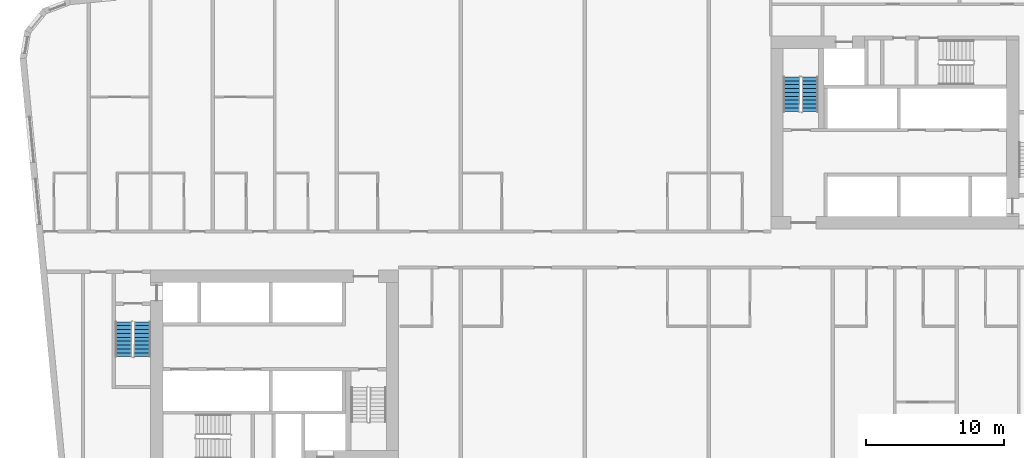
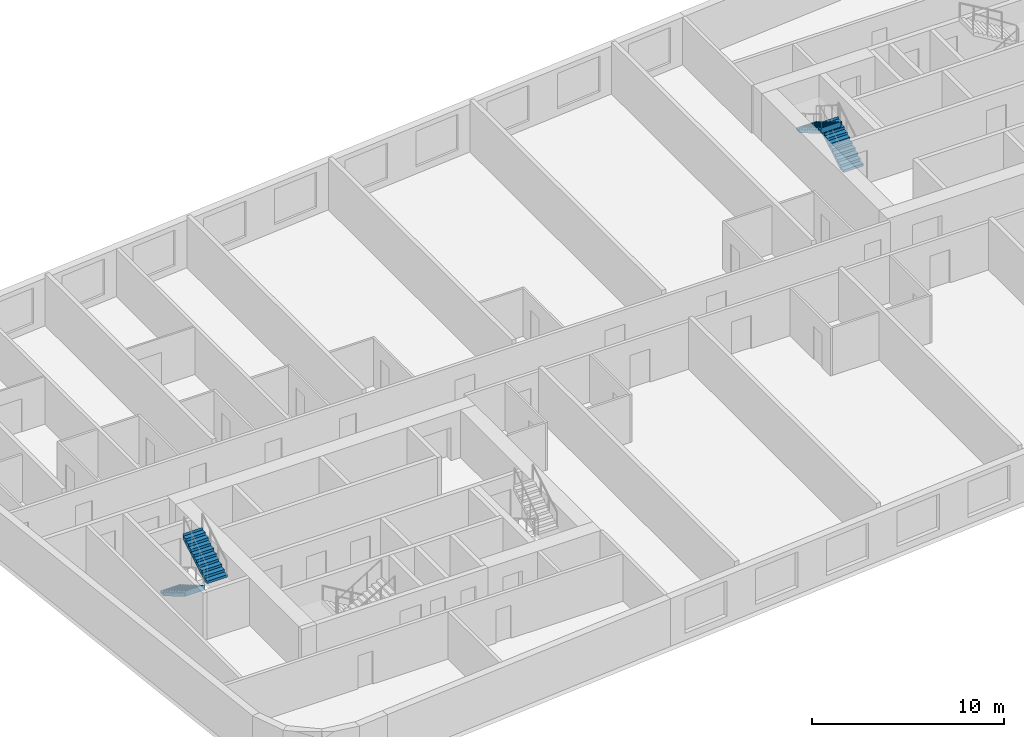
# One storey, part 10 of 12: 4 stair flights, 2 elements without a shape of their own.
"""IFC4 building model written with IfcOpenShell, lengths in metres."""

from ifc_helpers import new_model, si_unit, direction, frame, origin, place, context, subcontext, project, spatial, faceted_brep, material, type_object, element, aggregate, save


model = new_model("IFC4")

# Units and contexts
model_context = context("Model", 3, precision=1e-05, world=origin(), true_north=direction((0.0, 1.0)))
body_context = subcontext(model_context, "Body", "Model", "MODEL_VIEW")
ifc_project = project(units=[si_unit("LENGTHUNIT", "METRE"), si_unit("AREAUNIT", "SQUARE_METRE"), si_unit("VOLUMEUNIT", "CUBIC_METRE"), si_unit("PLANEANGLEUNIT", "RADIAN"), si_unit("MASSUNIT", "GRAM", prefix="KILO")], contexts=[model_context])

# Site, building, storey
site_placement = place(None, origin())
site = spatial("IfcSite", under=ifc_project, at=site_placement, CompositionType="ELEMENT")
building_placement = place(site_placement, origin())
building = spatial("IfcBuilding", under=site, at=building_placement, Name="Kajstack Hotel Tower", CompositionType="ELEMENT")
storey_placement = place(building_placement, frame((0.0, 0.0, 124.0)))
storey = spatial("IfcBuildingStorey", under=building, at=storey_placement, Name="L27", CompositionType="ELEMENT", Elevation=124.0)

# Stair, stair flights
ifc_material = material(Name="Concrete C40/50", Category="concrete")
stair_type = type_object("IfcStairType", Name="Exit stair 1200", PredefinedType="HALF_TURN_STAIR", material=ifc_material)
stair_1_placement = place(storey_placement, origin())
stair_1 = element("IfcStair", 1, at=stair_1_placement, inside=storey, type_object=stair_type, Name="L27 stair W1", PredefinedType="HALF_TURN_STAIR")
stair_flight_type = type_object("IfcStairFlightType", Name="Exit stair flight 1200", PredefinedType="STRAIGHT", material=ifc_material)
stair_flight_1_placement = place(storey_placement, frame((-33.449951171875, -5.25, 0.0), z_axis=(0.0, 0.0, 1.0), x_axis=(0.0, -1.0, 0.0)))
stair_flight_1 = element("IfcStairFlight", 2, at=stair_flight_1_placement, type_object=stair_flight_type, Name="W1 flight 1", NumberOfRisers=10, NumberOfTreads=9, PredefinedType="STRAIGHT", RiserHeight=0.165, TreadLength=0.28, context=body_context, shape_type="Brep", body=[
    faceted_brep([(0.295654296875, -0.60009765625, 0.0), (2.5205078125, -0.60009765625, 1.31103515625), (2.5205078125, -0.60009765625, 1.64990234375), (2.52001953125, -0.60009765625, 1.64990234375), (2.52001953125, -0.60009765625, 1.485107421875), (2.239990234375, -0.60009765625, 1.485107421875), (2.239990234375, -0.60009765625, 1.320068359375), (1.9599609375, -0.60009765625, 1.320068359375), (1.9599609375, -0.60009765625, 1.155029296875), (1.679931640625, -0.60009765625, 1.155029296875), (1.679931640625, -0.60009765625, 0.989990234375), (1.39990234375, -0.60009765625, 0.989990234375), (1.39990234375, -0.60009765625, 0.824951171875), (1.1201171875, -0.60009765625, 0.824951171875), (1.1201171875, -0.60009765625, 0.659912109375), (0.840087890625, -0.60009765625, 0.659912109375), (0.840087890625, -0.60009765625, 0.4951171875), (0.56005859375, -0.60009765625, 0.4951171875), (0.56005859375, -0.60009765625, 0.330078125), (0.280029296875, -0.60009765625, 0.330078125), (0.280029296875, -0.60009765625, 0.1650390625), (-0.00048828125, -0.60009765625, 0.1650390625), (-0.00048828125, -0.60009765625, 0.0), (-0.00048828125, 0.60009765625, 0.0), (-0.00048828125, 0.60009765625, 0.1650390625), (0.280029296875, 0.60009765625, 0.1650390625), (0.280029296875, 0.60009765625, 0.330078125), (0.56005859375, 0.60009765625, 0.330078125), (0.56005859375, 0.60009765625, 0.4951171875), (0.840087890625, 0.60009765625, 0.4951171875), (0.840087890625, 0.60009765625, 0.659912109375), (1.1201171875, 0.60009765625, 0.659912109375), (1.1201171875, 0.60009765625, 0.824951171875), (1.39990234375, 0.60009765625, 0.824951171875), (1.39990234375, 0.60009765625, 0.989990234375), (1.679931640625, 0.60009765625, 0.989990234375), (1.679931640625, 0.60009765625, 1.155029296875), (1.9599609375, 0.60009765625, 1.155029296875), (1.9599609375, 0.60009765625, 1.320068359375), (2.239990234375, 0.60009765625, 1.320068359375), (2.239990234375, 0.60009765625, 1.485107421875), (2.52001953125, 0.60009765625, 1.485107421875), (2.52001953125, 0.60009765625, 1.64990234375), (2.5205078125, 0.60009765625, 1.64990234375), (2.5205078125, 0.60009765625, 1.31103515625), (0.295654296875, 0.60009765625, 0.0), (-0.00048828125, -0.300048828125, 0.1650390625), (-0.00048828125, 0.0, 0.1650390625), (-0.00048828125, 0.300048828125, 0.1650390625), (-0.00048828125, 0.300048828125, 0.0), (-0.00048828125, 0.0, 0.0), (-0.00048828125, -0.300048828125, 0.0), (0.280029296875, -0.300048828125, 0.1650390625), (0.280029296875, 0.0, 0.1650390625), (0.280029296875, 0.300048828125, 0.1650390625), (0.280029296875, -0.300048828125, 0.330078125), (0.280029296875, 0.0, 0.330078125), (0.280029296875, 0.300048828125, 0.330078125), (0.56005859375, -0.300048828125, 0.330078125), (0.56005859375, 0.0, 0.330078125), (0.56005859375, 0.300048828125, 0.330078125), (0.56005859375, -0.300048828125, 0.4951171875), (0.56005859375, 0.0, 0.4951171875), (0.56005859375, 0.300048828125, 0.4951171875), (0.840087890625, -0.300048828125, 0.4951171875), (0.840087890625, 0.0, 0.4951171875), (0.840087890625, 0.300048828125, 0.4951171875), (0.840087890625, -0.300048828125, 0.659912109375), (0.840087890625, 0.0, 0.659912109375), (0.840087890625, 0.300048828125, 0.659912109375), (1.1201171875, -0.300048828125, 0.659912109375), (1.1201171875, 0.0, 0.659912109375), (1.1201171875, 0.300048828125, 0.659912109375), (1.1201171875, -0.300048828125, 0.824951171875), (1.1201171875, 0.0, 0.824951171875), (1.1201171875, 0.300048828125, 0.824951171875), (1.39990234375, -0.300048828125, 0.824951171875), (1.39990234375, 0.0, 0.824951171875), (1.39990234375, 0.300048828125, 0.824951171875), (1.39990234375, -0.300048828125, 0.989990234375), (1.39990234375, 0.0, 0.989990234375), (1.39990234375, 0.300048828125, 0.989990234375), (1.679931640625, -0.300048828125, 0.989990234375), (1.679931640625, 0.0, 0.989990234375), (1.679931640625, 0.300048828125, 0.989990234375), (1.679931640625, -0.300048828125, 1.155029296875), (1.679931640625, 0.0, 1.155029296875), (1.679931640625, 0.300048828125, 1.155029296875), (1.9599609375, -0.300048828125, 1.155029296875), (1.9599609375, 0.0, 1.155029296875), (1.9599609375, 0.300048828125, 1.155029296875), (1.9599609375, -0.300048828125, 1.320068359375), (1.9599609375, 0.0, 1.320068359375), (1.9599609375, 0.300048828125, 1.320068359375), (2.239990234375, -0.300048828125, 1.320068359375), (2.239990234375, 0.0, 1.320068359375), (2.239990234375, 0.300048828125, 1.320068359375), (2.239990234375, -0.300048828125, 1.485107421875), (2.239990234375, 0.0, 1.485107421875), (2.239990234375, 0.300048828125, 1.485107421875), (2.52001953125, -0.300048828125, 1.485107421875), (2.52001953125, 0.0, 1.485107421875), (2.52001953125, 0.300048828125, 1.485107421875), (2.52001953125, -0.300048828125, 1.64990234375), (2.52001953125, 0.0, 1.64990234375), (2.52001953125, 0.300048828125, 1.64990234375), (2.5205078125, -0.300048828125, 1.64990234375), (2.5205078125, 0.0, 1.64990234375), (2.5205078125, 0.300048828125, 1.64990234375), (2.5205078125, -0.300048828125, 1.31103515625), (2.5205078125, 0.0, 1.31103515625), (2.5205078125, 0.300048828125, 1.31103515625), (0.295654296875, -0.300048828125, 0.0), (0.295654296875, 0.0, 0.0), (0.295654296875, 0.300048828125, 0.0)], [[[0, 1, 2, 3, 4, 5, 6, 7, 8, 9, 10, 11, 12, 13, 14, 15, 16, 17, 18, 19, 20, 21, 22]], [[23, 24, 25, 26, 27, 28, 29, 30, 31, 32, 33, 34, 35, 36, 37, 38, 39, 40, 41, 42, 43, 44, 45]], [[21, 46, 47, 48, 24, 23, 49, 50, 51, 22]], [[20, 52, 53, 54, 25, 24, 48, 47, 46, 21]], [[19, 55, 56, 57, 26, 25, 54, 53, 52, 20]], [[18, 58, 59, 60, 27, 26, 57, 56, 55, 19]], [[17, 61, 62, 63, 28, 27, 60, 59, 58, 18]], [[16, 64, 65, 66, 29, 28, 63, 62, 61, 17]], [[15, 67, 68, 69, 30, 29, 66, 65, 64, 16]], [[14, 70, 71, 72, 31, 30, 69, 68, 67, 15]], [[13, 73, 74, 75, 32, 31, 72, 71, 70, 14]], [[12, 76, 77, 78, 33, 32, 75, 74, 73, 13]], [[11, 79, 80, 81, 34, 33, 78, 77, 76, 12]], [[10, 82, 83, 84, 35, 34, 81, 80, 79, 11]], [[9, 85, 86, 87, 36, 35, 84, 83, 82, 10]], [[8, 88, 89, 90, 37, 36, 87, 86, 85, 9]], [[7, 91, 92, 93, 38, 37, 90, 89, 88, 8]], [[6, 94, 95, 96, 39, 38, 93, 92, 91, 7]], [[5, 97, 98, 99, 40, 39, 96, 95, 94, 6]], [[4, 100, 101, 102, 41, 40, 99, 98, 97, 5]], [[3, 103, 104, 105, 42, 41, 102, 101, 100, 4]], [[2, 106, 107, 108, 43, 42, 105, 104, 103, 3]], [[1, 109, 110, 111, 44, 43, 108, 107, 106, 2]], [[0, 112, 113, 114, 45, 44, 111, 110, 109, 1]], [[22, 51, 50, 49, 23, 45, 114, 113, 112, 0]]]),
])
stair_flight_2_placement = place(storey_placement, frame((-32.10009765625, -7.77001953125, 1.64990234375), z_axis=(0.0, 0.0, 1.0), x_axis=(0.0, 1.0, 0.0)))
stair_flight_2 = element("IfcStairFlight", 3, at=stair_flight_2_placement, type_object=stair_flight_type, Name="W1 flight 2", NumberOfRisers=10, NumberOfTreads=9, PredefinedType="STRAIGHT", RiserHeight=0.165, TreadLength=0.28, context=body_context, shape_type="Brep", body=[
    faceted_brep([(0.295654296875, -0.60009765625, 0.0), (2.5205078125, -0.60009765625, 1.31103515625), (2.5205078125, -0.60009765625, 1.64990234375), (2.52001953125, -0.60009765625, 1.64990234375), (2.52001953125, -0.60009765625, 1.485107421875), (2.239990234375, -0.60009765625, 1.485107421875), (2.239990234375, -0.60009765625, 1.320068359375), (1.9599609375, -0.60009765625, 1.320068359375), (1.9599609375, -0.60009765625, 1.155029296875), (1.679931640625, -0.60009765625, 1.155029296875), (1.679931640625, -0.60009765625, 0.989990234375), (1.39990234375, -0.60009765625, 0.989990234375), (1.39990234375, -0.60009765625, 0.824951171875), (1.1201171875, -0.60009765625, 0.824951171875), (1.1201171875, -0.60009765625, 0.659912109375), (0.840087890625, -0.60009765625, 0.659912109375), (0.840087890625, -0.60009765625, 0.4951171875), (0.56005859375, -0.60009765625, 0.4951171875), (0.56005859375, -0.60009765625, 0.330078125), (0.280029296875, -0.60009765625, 0.330078125), (0.280029296875, -0.60009765625, 0.1650390625), (-0.00048828125, -0.60009765625, 0.1650390625), (-0.00048828125, -0.60009765625, 0.0), (-0.00048828125, 0.60009765625, 0.0), (-0.00048828125, 0.60009765625, 0.1650390625), (0.280029296875, 0.60009765625, 0.1650390625), (0.280029296875, 0.60009765625, 0.330078125), (0.56005859375, 0.60009765625, 0.330078125), (0.56005859375, 0.60009765625, 0.4951171875), (0.840087890625, 0.60009765625, 0.4951171875), (0.840087890625, 0.60009765625, 0.659912109375), (1.1201171875, 0.60009765625, 0.659912109375), (1.1201171875, 0.60009765625, 0.824951171875), (1.39990234375, 0.60009765625, 0.824951171875), (1.39990234375, 0.60009765625, 0.989990234375), (1.679931640625, 0.60009765625, 0.989990234375), (1.679931640625, 0.60009765625, 1.155029296875), (1.9599609375, 0.60009765625, 1.155029296875), (1.9599609375, 0.60009765625, 1.320068359375), (2.239990234375, 0.60009765625, 1.320068359375), (2.239990234375, 0.60009765625, 1.485107421875), (2.52001953125, 0.60009765625, 1.485107421875), (2.52001953125, 0.60009765625, 1.64990234375), (2.5205078125, 0.60009765625, 1.64990234375), (2.5205078125, 0.60009765625, 1.31103515625), (0.295654296875, 0.60009765625, 0.0), (-0.00048828125, -0.300048828125, 0.1650390625), (-0.00048828125, 0.0, 0.1650390625), (-0.00048828125, 0.300048828125, 0.1650390625), (-0.00048828125, 0.300048828125, 0.0), (-0.00048828125, 0.0, 0.0), (-0.00048828125, -0.300048828125, 0.0), (0.280029296875, -0.300048828125, 0.1650390625), (0.280029296875, 0.0, 0.1650390625), (0.280029296875, 0.300048828125, 0.1650390625), (0.280029296875, -0.300048828125, 0.330078125), (0.280029296875, 0.0, 0.330078125), (0.280029296875, 0.300048828125, 0.330078125), (0.56005859375, -0.300048828125, 0.330078125), (0.56005859375, 0.0, 0.330078125), (0.56005859375, 0.300048828125, 0.330078125), (0.56005859375, -0.300048828125, 0.4951171875), (0.56005859375, 0.0, 0.4951171875), (0.56005859375, 0.300048828125, 0.4951171875), (0.840087890625, -0.300048828125, 0.4951171875), (0.840087890625, 0.0, 0.4951171875), (0.840087890625, 0.300048828125, 0.4951171875), (0.840087890625, -0.300048828125, 0.659912109375), (0.840087890625, 0.0, 0.659912109375), (0.840087890625, 0.300048828125, 0.659912109375), (1.1201171875, -0.300048828125, 0.659912109375), (1.1201171875, 0.0, 0.659912109375), (1.1201171875, 0.300048828125, 0.659912109375), (1.1201171875, -0.300048828125, 0.824951171875), (1.1201171875, 0.0, 0.824951171875), (1.1201171875, 0.300048828125, 0.824951171875), (1.39990234375, -0.300048828125, 0.824951171875), (1.39990234375, 0.0, 0.824951171875), (1.39990234375, 0.300048828125, 0.824951171875), (1.39990234375, -0.300048828125, 0.989990234375), (1.39990234375, 0.0, 0.989990234375), (1.39990234375, 0.300048828125, 0.989990234375), (1.679931640625, -0.300048828125, 0.989990234375), (1.679931640625, 0.0, 0.989990234375), (1.679931640625, 0.300048828125, 0.989990234375), (1.679931640625, -0.300048828125, 1.155029296875), (1.679931640625, 0.0, 1.155029296875), (1.679931640625, 0.300048828125, 1.155029296875), (1.9599609375, -0.300048828125, 1.155029296875), (1.9599609375, 0.0, 1.155029296875), (1.9599609375, 0.300048828125, 1.155029296875), (1.9599609375, -0.300048828125, 1.320068359375), (1.9599609375, 0.0, 1.320068359375), (1.9599609375, 0.300048828125, 1.320068359375), (2.239990234375, -0.300048828125, 1.320068359375), (2.239990234375, 0.0, 1.320068359375), (2.239990234375, 0.300048828125, 1.320068359375), (2.239990234375, -0.300048828125, 1.485107421875), (2.239990234375, 0.0, 1.485107421875), (2.239990234375, 0.300048828125, 1.485107421875), (2.52001953125, -0.300048828125, 1.485107421875), (2.52001953125, 0.0, 1.485107421875), (2.52001953125, 0.300048828125, 1.485107421875), (2.52001953125, -0.300048828125, 1.64990234375), (2.52001953125, 0.0, 1.64990234375), (2.52001953125, 0.300048828125, 1.64990234375), (2.5205078125, -0.300048828125, 1.64990234375), (2.5205078125, 0.0, 1.64990234375), (2.5205078125, 0.300048828125, 1.64990234375), (2.5205078125, -0.300048828125, 1.31103515625), (2.5205078125, 0.0, 1.31103515625), (2.5205078125, 0.300048828125, 1.31103515625), (0.295654296875, -0.300048828125, 0.0), (0.295654296875, 0.0, 0.0), (0.295654296875, 0.300048828125, 0.0)], [[[0, 1, 2, 3, 4, 5, 6, 7, 8, 9, 10, 11, 12, 13, 14, 15, 16, 17, 18, 19, 20, 21, 22]], [[23, 24, 25, 26, 27, 28, 29, 30, 31, 32, 33, 34, 35, 36, 37, 38, 39, 40, 41, 42, 43, 44, 45]], [[21, 46, 47, 48, 24, 23, 49, 50, 51, 22]], [[20, 52, 53, 54, 25, 24, 48, 47, 46, 21]], [[19, 55, 56, 57, 26, 25, 54, 53, 52, 20]], [[18, 58, 59, 60, 27, 26, 57, 56, 55, 19]], [[17, 61, 62, 63, 28, 27, 60, 59, 58, 18]], [[16, 64, 65, 66, 29, 28, 63, 62, 61, 17]], [[15, 67, 68, 69, 30, 29, 66, 65, 64, 16]], [[14, 70, 71, 72, 31, 30, 69, 68, 67, 15]], [[13, 73, 74, 75, 32, 31, 72, 71, 70, 14]], [[12, 76, 77, 78, 33, 32, 75, 74, 73, 13]], [[11, 79, 80, 81, 34, 33, 78, 77, 76, 12]], [[10, 82, 83, 84, 35, 34, 81, 80, 79, 11]], [[9, 85, 86, 87, 36, 35, 84, 83, 82, 10]], [[8, 88, 89, 90, 37, 36, 87, 86, 85, 9]], [[7, 91, 92, 93, 38, 37, 90, 89, 88, 8]], [[6, 94, 95, 96, 39, 38, 93, 92, 91, 7]], [[5, 97, 98, 99, 40, 39, 96, 95, 94, 6]], [[4, 100, 101, 102, 41, 40, 99, 98, 97, 5]], [[3, 103, 104, 105, 42, 41, 102, 101, 100, 4]], [[2, 106, 107, 108, 43, 42, 105, 104, 103, 3]], [[1, 109, 110, 111, 44, 43, 108, 107, 106, 2]], [[0, 112, 113, 114, 45, 44, 111, 110, 109, 1]], [[22, 51, 50, 49, 23, 45, 114, 113, 112, 0]]]),
])
aggregate(stair_1, [stair_flight_1, stair_flight_2])

stair_2_placement = place(storey_placement, origin())
stair_2 = element("IfcStair", 4, at=stair_2_placement, inside=storey, type_object=stair_type, Name="L27 stair E2", PredefinedType="HALF_TURN_STAIR")
stair_flight_3_placement = place(storey_placement, frame((16.35009765625, 10.0, 0.0), z_axis=(0.0, 0.0, 1.0), x_axis=(0.0, 1.0, 0.0)))
stair_flight_3 = element("IfcStairFlight", 5, at=stair_flight_3_placement, type_object=stair_flight_type, Name="E2 flight 1", NumberOfRisers=10, NumberOfTreads=9, PredefinedType="STRAIGHT", RiserHeight=0.165, TreadLength=0.28, context=body_context, shape_type="Brep", body=[
    faceted_brep([(0.295654296875, -0.60009765625, 0.0), (2.5205078125, -0.60009765625, 1.31103515625), (2.5205078125, -0.60009765625, 1.64990234375), (2.52001953125, -0.60009765625, 1.64990234375), (2.52001953125, -0.60009765625, 1.485107421875), (2.239990234375, -0.60009765625, 1.485107421875), (2.239990234375, -0.60009765625, 1.320068359375), (1.9599609375, -0.60009765625, 1.320068359375), (1.9599609375, -0.60009765625, 1.155029296875), (1.679931640625, -0.60009765625, 1.155029296875), (1.679931640625, -0.60009765625, 0.989990234375), (1.39990234375, -0.60009765625, 0.989990234375), (1.39990234375, -0.60009765625, 0.824951171875), (1.1201171875, -0.60009765625, 0.824951171875), (1.1201171875, -0.60009765625, 0.659912109375), (0.840087890625, -0.60009765625, 0.659912109375), (0.840087890625, -0.60009765625, 0.4951171875), (0.56005859375, -0.60009765625, 0.4951171875), (0.56005859375, -0.60009765625, 0.330078125), (0.280029296875, -0.60009765625, 0.330078125), (0.280029296875, -0.60009765625, 0.1650390625), (-0.00048828125, -0.60009765625, 0.1650390625), (-0.00048828125, -0.60009765625, 0.0), (-0.00048828125, 0.60009765625, 0.0), (-0.00048828125, 0.60009765625, 0.1650390625), (0.280029296875, 0.60009765625, 0.1650390625), (0.280029296875, 0.60009765625, 0.330078125), (0.56005859375, 0.60009765625, 0.330078125), (0.56005859375, 0.60009765625, 0.4951171875), (0.840087890625, 0.60009765625, 0.4951171875), (0.840087890625, 0.60009765625, 0.659912109375), (1.1201171875, 0.60009765625, 0.659912109375), (1.1201171875, 0.60009765625, 0.824951171875), (1.39990234375, 0.60009765625, 0.824951171875), (1.39990234375, 0.60009765625, 0.989990234375), (1.679931640625, 0.60009765625, 0.989990234375), (1.679931640625, 0.60009765625, 1.155029296875), (1.9599609375, 0.60009765625, 1.155029296875), (1.9599609375, 0.60009765625, 1.320068359375), (2.239990234375, 0.60009765625, 1.320068359375), (2.239990234375, 0.60009765625, 1.485107421875), (2.52001953125, 0.60009765625, 1.485107421875), (2.52001953125, 0.60009765625, 1.64990234375), (2.5205078125, 0.60009765625, 1.64990234375), (2.5205078125, 0.60009765625, 1.31103515625), (0.295654296875, 0.60009765625, 0.0), (-0.00048828125, -0.300048828125, 0.1650390625), (-0.00048828125, 0.0, 0.1650390625), (-0.00048828125, 0.300048828125, 0.1650390625), (-0.00048828125, 0.300048828125, 0.0), (-0.00048828125, 0.0, 0.0), (-0.00048828125, -0.300048828125, 0.0), (0.280029296875, -0.300048828125, 0.1650390625), (0.280029296875, 0.0, 0.1650390625), (0.280029296875, 0.300048828125, 0.1650390625), (0.280029296875, -0.300048828125, 0.330078125), (0.280029296875, 0.0, 0.330078125), (0.280029296875, 0.300048828125, 0.330078125), (0.56005859375, -0.300048828125, 0.330078125), (0.56005859375, 0.0, 0.330078125), (0.56005859375, 0.300048828125, 0.330078125), (0.56005859375, -0.300048828125, 0.4951171875), (0.56005859375, 0.0, 0.4951171875), (0.56005859375, 0.300048828125, 0.4951171875), (0.840087890625, -0.300048828125, 0.4951171875), (0.840087890625, 0.0, 0.4951171875), (0.840087890625, 0.300048828125, 0.4951171875), (0.840087890625, -0.300048828125, 0.659912109375), (0.840087890625, 0.0, 0.659912109375), (0.840087890625, 0.300048828125, 0.659912109375), (1.1201171875, -0.300048828125, 0.659912109375), (1.1201171875, 0.0, 0.659912109375), (1.1201171875, 0.300048828125, 0.659912109375), (1.1201171875, -0.300048828125, 0.824951171875), (1.1201171875, 0.0, 0.824951171875), (1.1201171875, 0.300048828125, 0.824951171875), (1.39990234375, -0.300048828125, 0.824951171875), (1.39990234375, 0.0, 0.824951171875), (1.39990234375, 0.300048828125, 0.824951171875), (1.39990234375, -0.300048828125, 0.989990234375), (1.39990234375, 0.0, 0.989990234375), (1.39990234375, 0.300048828125, 0.989990234375), (1.679931640625, -0.300048828125, 0.989990234375), (1.679931640625, 0.0, 0.989990234375), (1.679931640625, 0.300048828125, 0.989990234375), (1.679931640625, -0.300048828125, 1.155029296875), (1.679931640625, 0.0, 1.155029296875), (1.679931640625, 0.300048828125, 1.155029296875), (1.9599609375, -0.300048828125, 1.155029296875), (1.9599609375, 0.0, 1.155029296875), (1.9599609375, 0.300048828125, 1.155029296875), (1.9599609375, -0.300048828125, 1.320068359375), (1.9599609375, 0.0, 1.320068359375), (1.9599609375, 0.300048828125, 1.320068359375), (2.239990234375, -0.300048828125, 1.320068359375), (2.239990234375, 0.0, 1.320068359375), (2.239990234375, 0.300048828125, 1.320068359375), (2.239990234375, -0.300048828125, 1.485107421875), (2.239990234375, 0.0, 1.485107421875), (2.239990234375, 0.300048828125, 1.485107421875), (2.52001953125, -0.300048828125, 1.485107421875), (2.52001953125, 0.0, 1.485107421875), (2.52001953125, 0.300048828125, 1.485107421875), (2.52001953125, -0.300048828125, 1.64990234375), (2.52001953125, 0.0, 1.64990234375), (2.52001953125, 0.300048828125, 1.64990234375), (2.5205078125, -0.300048828125, 1.64990234375), (2.5205078125, 0.0, 1.64990234375), (2.5205078125, 0.300048828125, 1.64990234375), (2.5205078125, -0.300048828125, 1.31103515625), (2.5205078125, 0.0, 1.31103515625), (2.5205078125, 0.300048828125, 1.31103515625), (0.295654296875, -0.300048828125, 0.0), (0.295654296875, 0.0, 0.0), (0.295654296875, 0.300048828125, 0.0)], [[[0, 1, 2, 3, 4, 5, 6, 7, 8, 9, 10, 11, 12, 13, 14, 15, 16, 17, 18, 19, 20, 21, 22]], [[23, 24, 25, 26, 27, 28, 29, 30, 31, 32, 33, 34, 35, 36, 37, 38, 39, 40, 41, 42, 43, 44, 45]], [[21, 46, 47, 48, 24, 23, 49, 50, 51, 22]], [[20, 52, 53, 54, 25, 24, 48, 47, 46, 21]], [[19, 55, 56, 57, 26, 25, 54, 53, 52, 20]], [[18, 58, 59, 60, 27, 26, 57, 56, 55, 19]], [[17, 61, 62, 63, 28, 27, 60, 59, 58, 18]], [[16, 64, 65, 66, 29, 28, 63, 62, 61, 17]], [[15, 67, 68, 69, 30, 29, 66, 65, 64, 16]], [[14, 70, 71, 72, 31, 30, 69, 68, 67, 15]], [[13, 73, 74, 75, 32, 31, 72, 71, 70, 14]], [[12, 76, 77, 78, 33, 32, 75, 74, 73, 13]], [[11, 79, 80, 81, 34, 33, 78, 77, 76, 12]], [[10, 82, 83, 84, 35, 34, 81, 80, 79, 11]], [[9, 85, 86, 87, 36, 35, 84, 83, 82, 10]], [[8, 88, 89, 90, 37, 36, 87, 86, 85, 9]], [[7, 91, 92, 93, 38, 37, 90, 89, 88, 8]], [[6, 94, 95, 96, 39, 38, 93, 92, 91, 7]], [[5, 97, 98, 99, 40, 39, 96, 95, 94, 6]], [[4, 100, 101, 102, 41, 40, 99, 98, 97, 5]], [[3, 103, 104, 105, 42, 41, 102, 101, 100, 4]], [[2, 106, 107, 108, 43, 42, 105, 104, 103, 3]], [[1, 109, 110, 111, 44, 43, 108, 107, 106, 2]], [[0, 112, 113, 114, 45, 44, 111, 110, 109, 1]], [[22, 51, 50, 49, 23, 45, 114, 113, 112, 0]]]),
])
stair_flight_4_placement = place(storey_placement, frame((15.0, 12.52001953125, 1.64990234375), z_axis=(0.0, 0.0, 1.0), x_axis=(0.0, -1.0, 0.0)))
stair_flight_4 = element("IfcStairFlight", 6, at=stair_flight_4_placement, type_object=stair_flight_type, Name="E2 flight 2", NumberOfRisers=10, NumberOfTreads=9, PredefinedType="STRAIGHT", RiserHeight=0.165, TreadLength=0.28, context=body_context, shape_type="Brep", body=[
    faceted_brep([(0.295654296875, -0.60009765625, 0.0), (2.5205078125, -0.60009765625, 1.31103515625), (2.5205078125, -0.60009765625, 1.64990234375), (2.52001953125, -0.60009765625, 1.64990234375), (2.52001953125, -0.60009765625, 1.485107421875), (2.239990234375, -0.60009765625, 1.485107421875), (2.239990234375, -0.60009765625, 1.320068359375), (1.9599609375, -0.60009765625, 1.320068359375), (1.9599609375, -0.60009765625, 1.155029296875), (1.679931640625, -0.60009765625, 1.155029296875), (1.679931640625, -0.60009765625, 0.989990234375), (1.39990234375, -0.60009765625, 0.989990234375), (1.39990234375, -0.60009765625, 0.824951171875), (1.1201171875, -0.60009765625, 0.824951171875), (1.1201171875, -0.60009765625, 0.659912109375), (0.840087890625, -0.60009765625, 0.659912109375), (0.840087890625, -0.60009765625, 0.4951171875), (0.56005859375, -0.60009765625, 0.4951171875), (0.56005859375, -0.60009765625, 0.330078125), (0.280029296875, -0.60009765625, 0.330078125), (0.280029296875, -0.60009765625, 0.1650390625), (-0.00048828125, -0.60009765625, 0.1650390625), (-0.00048828125, -0.60009765625, 0.0), (-0.00048828125, 0.60009765625, 0.0), (-0.00048828125, 0.60009765625, 0.1650390625), (0.280029296875, 0.60009765625, 0.1650390625), (0.280029296875, 0.60009765625, 0.330078125), (0.56005859375, 0.60009765625, 0.330078125), (0.56005859375, 0.60009765625, 0.4951171875), (0.840087890625, 0.60009765625, 0.4951171875), (0.840087890625, 0.60009765625, 0.659912109375), (1.1201171875, 0.60009765625, 0.659912109375), (1.1201171875, 0.60009765625, 0.824951171875), (1.39990234375, 0.60009765625, 0.824951171875), (1.39990234375, 0.60009765625, 0.989990234375), (1.679931640625, 0.60009765625, 0.989990234375), (1.679931640625, 0.60009765625, 1.155029296875), (1.9599609375, 0.60009765625, 1.155029296875), (1.9599609375, 0.60009765625, 1.320068359375), (2.239990234375, 0.60009765625, 1.320068359375), (2.239990234375, 0.60009765625, 1.485107421875), (2.52001953125, 0.60009765625, 1.485107421875), (2.52001953125, 0.60009765625, 1.64990234375), (2.5205078125, 0.60009765625, 1.64990234375), (2.5205078125, 0.60009765625, 1.31103515625), (0.295654296875, 0.60009765625, 0.0), (-0.00048828125, -0.300048828125, 0.1650390625), (-0.00048828125, 0.0, 0.1650390625), (-0.00048828125, 0.300048828125, 0.1650390625), (-0.00048828125, 0.300048828125, 0.0), (-0.00048828125, 0.0, 0.0), (-0.00048828125, -0.300048828125, 0.0), (0.280029296875, -0.300048828125, 0.1650390625), (0.280029296875, 0.0, 0.1650390625), (0.280029296875, 0.300048828125, 0.1650390625), (0.280029296875, -0.300048828125, 0.330078125), (0.280029296875, 0.0, 0.330078125), (0.280029296875, 0.300048828125, 0.330078125), (0.56005859375, -0.300048828125, 0.330078125), (0.56005859375, 0.0, 0.330078125), (0.56005859375, 0.300048828125, 0.330078125), (0.56005859375, -0.300048828125, 0.4951171875), (0.56005859375, 0.0, 0.4951171875), (0.56005859375, 0.300048828125, 0.4951171875), (0.840087890625, -0.300048828125, 0.4951171875), (0.840087890625, 0.0, 0.4951171875), (0.840087890625, 0.300048828125, 0.4951171875), (0.840087890625, -0.300048828125, 0.659912109375), (0.840087890625, 0.0, 0.659912109375), (0.840087890625, 0.300048828125, 0.659912109375), (1.1201171875, -0.300048828125, 0.659912109375), (1.1201171875, 0.0, 0.659912109375), (1.1201171875, 0.300048828125, 0.659912109375), (1.1201171875, -0.300048828125, 0.824951171875), (1.1201171875, 0.0, 0.824951171875), (1.1201171875, 0.300048828125, 0.824951171875), (1.39990234375, -0.300048828125, 0.824951171875), (1.39990234375, 0.0, 0.824951171875), (1.39990234375, 0.300048828125, 0.824951171875), (1.39990234375, -0.300048828125, 0.989990234375), (1.39990234375, 0.0, 0.989990234375), (1.39990234375, 0.300048828125, 0.989990234375), (1.679931640625, -0.300048828125, 0.989990234375), (1.679931640625, 0.0, 0.989990234375), (1.679931640625, 0.300048828125, 0.989990234375), (1.679931640625, -0.300048828125, 1.155029296875), (1.679931640625, 0.0, 1.155029296875), (1.679931640625, 0.300048828125, 1.155029296875), (1.9599609375, -0.300048828125, 1.155029296875), (1.9599609375, 0.0, 1.155029296875), (1.9599609375, 0.300048828125, 1.155029296875), (1.9599609375, -0.300048828125, 1.320068359375), (1.9599609375, 0.0, 1.320068359375), (1.9599609375, 0.300048828125, 1.320068359375), (2.239990234375, -0.300048828125, 1.320068359375), (2.239990234375, 0.0, 1.320068359375), (2.239990234375, 0.300048828125, 1.320068359375), (2.239990234375, -0.300048828125, 1.485107421875), (2.239990234375, 0.0, 1.485107421875), (2.239990234375, 0.300048828125, 1.485107421875), (2.52001953125, -0.300048828125, 1.485107421875), (2.52001953125, 0.0, 1.485107421875), (2.52001953125, 0.300048828125, 1.485107421875), (2.52001953125, -0.300048828125, 1.64990234375), (2.52001953125, 0.0, 1.64990234375), (2.52001953125, 0.300048828125, 1.64990234375), (2.5205078125, -0.300048828125, 1.64990234375), (2.5205078125, 0.0, 1.64990234375), (2.5205078125, 0.300048828125, 1.64990234375), (2.5205078125, -0.300048828125, 1.31103515625), (2.5205078125, 0.0, 1.31103515625), (2.5205078125, 0.300048828125, 1.31103515625), (0.295654296875, -0.300048828125, 0.0), (0.295654296875, 0.0, 0.0), (0.295654296875, 0.300048828125, 0.0)], [[[0, 1, 2, 3, 4, 5, 6, 7, 8, 9, 10, 11, 12, 13, 14, 15, 16, 17, 18, 19, 20, 21, 22]], [[23, 24, 25, 26, 27, 28, 29, 30, 31, 32, 33, 34, 35, 36, 37, 38, 39, 40, 41, 42, 43, 44, 45]], [[21, 46, 47, 48, 24, 23, 49, 50, 51, 22]], [[20, 52, 53, 54, 25, 24, 48, 47, 46, 21]], [[19, 55, 56, 57, 26, 25, 54, 53, 52, 20]], [[18, 58, 59, 60, 27, 26, 57, 56, 55, 19]], [[17, 61, 62, 63, 28, 27, 60, 59, 58, 18]], [[16, 64, 65, 66, 29, 28, 63, 62, 61, 17]], [[15, 67, 68, 69, 30, 29, 66, 65, 64, 16]], [[14, 70, 71, 72, 31, 30, 69, 68, 67, 15]], [[13, 73, 74, 75, 32, 31, 72, 71, 70, 14]], [[12, 76, 77, 78, 33, 32, 75, 74, 73, 13]], [[11, 79, 80, 81, 34, 33, 78, 77, 76, 12]], [[10, 82, 83, 84, 35, 34, 81, 80, 79, 11]], [[9, 85, 86, 87, 36, 35, 84, 83, 82, 10]], [[8, 88, 89, 90, 37, 36, 87, 86, 85, 9]], [[7, 91, 92, 93, 38, 37, 90, 89, 88, 8]], [[6, 94, 95, 96, 39, 38, 93, 92, 91, 7]], [[5, 97, 98, 99, 40, 39, 96, 95, 94, 6]], [[4, 100, 101, 102, 41, 40, 99, 98, 97, 5]], [[3, 103, 104, 105, 42, 41, 102, 101, 100, 4]], [[2, 106, 107, 108, 43, 42, 105, 104, 103, 3]], [[1, 109, 110, 111, 44, 43, 108, 107, 106, 2]], [[0, 112, 113, 114, 45, 44, 111, 110, 109, 1]], [[22, 51, 50, 49, 23, 45, 114, 113, 112, 0]]]),
])
aggregate(stair_2, [stair_flight_3, stair_flight_4])

save(model, "model.ifc")
